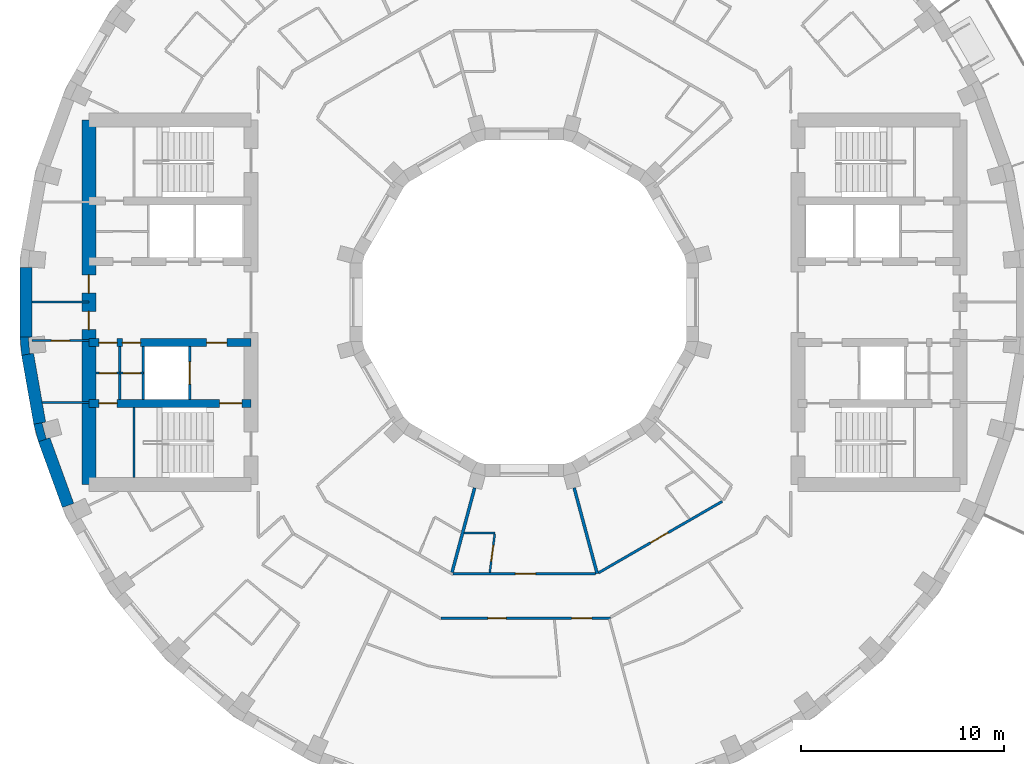
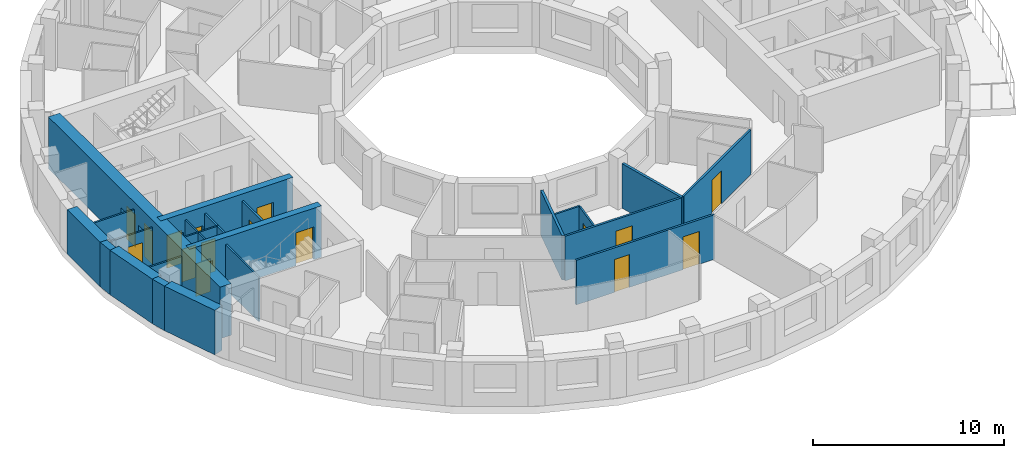
# One storey, part 3 of 11: 24 walls, 16 doors, 16 openings.
"""IFC4 building model written with IfcOpenShell, lengths in metres."""

from ifc_helpers import new_model, si_unit, direction, frame, frame_2d, origin, place, context, subcontext, project, spatial, polyline, rectangle, outline, extrude, material, layer, layer_set, type_object, element, fill, save


model = new_model("IFC4")

# Units and contexts
model_context = context("Model", 3, precision=1e-05, world=origin(), true_north=direction((0.0, 1.0)))
body_context = subcontext(model_context, "Body", "Model", "MODEL_VIEW")
ifc_project = project(units=[si_unit("LENGTHUNIT", "METRE"), si_unit("AREAUNIT", "SQUARE_METRE"), si_unit("VOLUMEUNIT", "CUBIC_METRE"), si_unit("PLANEANGLEUNIT", "RADIAN"), si_unit("MASSUNIT", "GRAM", prefix="KILO")], contexts=[model_context])

# Site, building, storey
site_placement = place(None, origin())
site = spatial("IfcSite", under=ifc_project, at=site_placement, CompositionType="ELEMENT")
building_placement = place(site_placement, origin())
building = spatial("IfcBuilding", under=site, at=building_placement, Name="Saqina Gate Tower", CompositionType="ELEMENT")
storey_placement = place(building_placement, frame((0.0, 0.0, 183.89990234375)))
storey = spatial("IfcBuildingStorey", under=building, at=storey_placement, Name="L52", CompositionType="ELEMENT", Elevation=183.89990234375)

# Walls
ifc_material_1 = material(Name="Brick masonry (buff)", Category="masonry")
wall_type_1 = type_object("IfcWallType", Name="BRICK PIER COPING BUFF", PredefinedType="SOLIDWALL", material=ifc_material_1)
wall_1_placement = place(storey_placement, origin())
element("IfcWall", 1, at=wall_1_placement, inside=storey, type_object=wall_type_1, Name="Pier cap L52 column 19", PredefinedType="SOLIDWALL", context=body_context, shape_type="SweptSolid", body=[
    extrude(outline(polyline([(-24.90478515625, -1.724853515625), (-24.825927734375, -2.6259765625), (-24.235107421875, -2.521728515625), (-24.421630859375, -2.5380859375), (-24.491455078125, -1.7412109375), (-24.304931640625, -1.724853515625), (-24.90478515625, -1.724853515625)])), origin(), (0.0, 0.0, 1.0), 2.85009765625),
])
wall_2_placement = place(storey_placement, origin())
element("IfcWall", 2, at=wall_2_placement, inside=storey, type_object=wall_type_1, Name="Pier cap L52 column 20", PredefinedType="SOLIDWALL", context=body_context, shape_type="SweptSolid", body=[
    extrude(outline(polyline([(-24.22705078125, -6.0234375), (-23.992919921875, -6.897216796875), (-23.428955078125, -6.69189453125), (-23.610107421875, -6.740478515625), (-23.81689453125, -5.967529296875), (-23.635986328125, -5.919189453125), (-24.22705078125, -6.0234375)])), origin(), (0.0, 0.0, 1.0), 2.85009765625),
])
ifc_material_2 = material(Name="Gypsum board on steel studs", Category="steel")
ifc_layer_1 = layer(ifc_material_2, 0.10009765625)
ifc_layer_set_1 = layer_set([ifc_layer_1], Name="CORE PARTITION")
wall_type_2 = type_object("IfcWallType", Name="CORE PARTITION", PredefinedType="PARTITIONING", material=ifc_layer_set_1)
wall_3_placement = place(storey_placement, frame((-21.5, -4.949951171875, 0.0), z_axis=(0.0, 0.0, 1.0), x_axis=(-1.0, 0.0, 0.0)))
element("IfcWall", 3, at=wall_3_placement, inside=storey, type_object=wall_type_2, Name="L52-CP-W02", PredefinedType="PARTITIONING", context=body_context, shape_type="SweptSolid", body=[
    extrude(rectangle(XDim=2.306884765625, YDim=0.10009765625, at=frame_2d((1.1533203125, 0.0))), origin(), (0.0, 0.0, 1.0), 2.85009765625),
])

# Wall, opening, door
wall_4_placement = place(storey_placement, frame((-21.5, -1.89990234375, 0.0), z_axis=(0.0, 0.0, 1.0), x_axis=(-1.0, 0.0, 0.0)))
wall_4 = element("IfcWall", 4, at=wall_4_placement, inside=storey, type_object=wall_type_2, Name="L52-CP-W03", PredefinedType="PARTITIONING", context=body_context, shape_type="SweptSolid", body=[
    extrude(rectangle(XDim=2.804931640625, YDim=0.10009765625, at=frame_2d((1.40234375, 0.0))), origin(), (0.0, 0.0, 1.0), 2.85009765625),
])
opening_1_placement = place(wall_4_placement, frame((0.952392578125, 0.0, 0.0)))
opening_1 = element("IfcOpeningElement", 5, at=opening_1_placement, cuts=wall_4, Name="Opening G15-D111", PredefinedType="OPENING", context=body_context, shape_type="SweptSolid", body=[
    extrude(rectangle(XDim=0.89990234375, YDim=2.10009765625, at=frame_2d((0.449951171875, 1.050048828125))), frame((0.0, 0.06201171875, 0.0), z_axis=(0.0, -1.0, 0.0), x_axis=(1.0, 0.0, 0.0)), (0.0, 0.0, 1.0), 0.1240234375),
])
ifc_material_3 = material(Name="Steel-framed fire door leaf, EI 60", Category="steel")
door_type_1 = type_object("IfcDoorType", Name="SERVICE ROOM DOOR 900", OperationType="SINGLE_SWING_LEFT", PredefinedType="DOOR", material=ifc_material_3)
door_1_placement = place(opening_1_placement, origin())
door_1 = element("IfcDoor", 6, at=door_1_placement, inside=storey, type_object=door_type_1, Name="L52-CD-W22", OperationType="SINGLE_SWING_LEFT", OverallHeight=2.10009765625, OverallWidth=0.89990234375, PredefinedType="DOOR", context=body_context, shape_type="SweptSolid", body=[
    extrude(rectangle(XDim=0.89990234375, YDim=2.10009765625, at=frame_2d((0.449951171875, 1.050048828125))), frame((0.0, 0.02490234375, 0.0), z_axis=(0.0, -1.0, 0.0), x_axis=(1.0, 0.0, 0.0)), (0.0, 0.0, 1.0), 0.050048828125),
])
fill(opening_1, door_1)

# Walls
wall_5_placement = place(storey_placement, frame((-21.5, 0.0, 0.0), z_axis=(0.0, 0.0, 1.0), x_axis=(-1.0, 0.0, 0.0)))
element("IfcWall", 7, at=wall_5_placement, inside=storey, type_object=wall_type_2, Name="L52-CP-W04", PredefinedType="PARTITIONING", context=body_context, shape_type="SweptSolid", body=[
    extrude(rectangle(XDim=2.804931640625, YDim=0.10009765625, at=frame_2d((1.40234375, 0.0))), origin(), (0.0, 0.0, 1.0), 2.85009765625),
])
wall_6_placement = place(storey_placement, frame((-19.97998046875, -4.800048828125, 0.0), z_axis=(0.0, 0.0, 1.0), x_axis=(0.0, 1.0, 0.0)))
element("IfcWall", 8, at=wall_6_placement, inside=storey, type_object=wall_type_2, Name="L52-CP-W09", PredefinedType="PARTITIONING", context=body_context, shape_type="SweptSolid", body=[
    extrude(rectangle(XDim=2.60009765625, YDim=0.10009765625, at=frame_2d((1.300048828125, 0.0))), origin(), (0.0, 0.0, 1.0), 2.85009765625),
])

# Wall, opening, door
wall_7_placement = place(storey_placement, frame((-18.81005859375, -3.5, 0.0), z_axis=(0.0, 0.0, 1.0), x_axis=(-1.0, 0.0, 0.0)))
wall_7 = element("IfcWall", 9, at=wall_7_placement, inside=storey, type_object=wall_type_2, Name="L52-CP-W11", PredefinedType="PARTITIONING", context=body_context, shape_type="SweptSolid", body=[
    extrude(rectangle(XDim=1.169921875, YDim=0.10009765625, at=frame_2d((0.5849609375, 0.0))), origin(), (0.0, 0.0, 1.0), 2.85009765625),
])
opening_2_placement = place(wall_7_placement, frame((0.14990234375, 0.0, 0.0)))
opening_2 = element("IfcOpeningElement", 10, at=opening_2_placement, cuts=wall_7, Name="Opening G15-D115", PredefinedType="OPENING", context=body_context, shape_type="SweptSolid", body=[
    extrude(rectangle(XDim=0.85009765625, YDim=2.10009765625, at=frame_2d((0.425048828125, 1.050048828125))), frame((0.0, 0.06201171875, 0.0), z_axis=(0.0, -1.0, 0.0), x_axis=(1.0, 0.0, 0.0)), (0.0, 0.0, 1.0), 0.1240234375),
])
ifc_material_4 = material(Name="Steel-framed fire door leaf, EI 60", Category="steel")
door_type_2 = type_object("IfcDoorType", Name="SERVICE ROOM DOOR 850", OperationType="SINGLE_SWING_LEFT", PredefinedType="DOOR", material=ifc_material_4)
door_2_placement = place(opening_2_placement, origin())
door_2 = element("IfcDoor", 11, at=door_2_placement, inside=storey, type_object=door_type_2, Name="L52-CD-W26", OperationType="SINGLE_SWING_LEFT", OverallHeight=2.10009765625, OverallWidth=0.85009765625, PredefinedType="DOOR", context=body_context, shape_type="SweptSolid", body=[
    extrude(rectangle(XDim=0.85009765625, YDim=2.10009765625, at=frame_2d((0.425048828125, 1.050048828125))), frame((0.0, 0.02490234375, 0.0), z_axis=(0.0, -1.0, 0.0), x_axis=(1.0, 0.0, 0.0)), (0.0, 0.0, 1.0), 0.050048828125),
])
fill(opening_2, door_2)

wall_8_placement = place(storey_placement, frame((-19.97998046875, -3.5, 0.0), z_axis=(0.0, 0.0, 1.0), x_axis=(-1.0, 0.0, 0.0)))
wall_8 = element("IfcWall", 12, at=wall_8_placement, inside=storey, type_object=wall_type_2, Name="L52-CP-W12", PredefinedType="PARTITIONING", context=body_context, shape_type="SweptSolid", body=[
    extrude(rectangle(XDim=1.169921875, YDim=0.10009765625, at=frame_2d((0.5849609375, 0.0))), origin(), (0.0, 0.0, 1.0), 2.85009765625),
])
opening_3_placement = place(wall_8_placement, frame((0.14990234375, 0.0, 0.0)))
opening_3 = element("IfcOpeningElement", 13, at=opening_3_placement, cuts=wall_8, Name="Opening G15-D116", PredefinedType="OPENING", context=body_context, shape_type="SweptSolid", body=[
    extrude(rectangle(XDim=0.85009765625, YDim=2.10009765625, at=frame_2d((0.425048828125, 1.050048828125))), frame((0.0, 0.06201171875, 0.0), z_axis=(0.0, -1.0, 0.0), x_axis=(1.0, 0.0, 0.0)), (0.0, 0.0, 1.0), 0.1240234375),
])
door_3_placement = place(opening_3_placement, origin())
door_3 = element("IfcDoor", 14, at=door_3_placement, inside=storey, type_object=door_type_2, Name="L52-CD-W27", OperationType="SINGLE_SWING_RIGHT", OverallHeight=2.10009765625, OverallWidth=0.85009765625, PredefinedType="DOOR", context=body_context, shape_type="SweptSolid", body=[
    extrude(rectangle(XDim=0.85009765625, YDim=2.10009765625, at=frame_2d((0.425048828125, 1.050048828125))), frame((0.0, 0.02490234375, 0.0), z_axis=(0.0, -1.0, 0.0), x_axis=(1.0, 0.0, 0.0)), (0.0, 0.0, 1.0), 0.050048828125),
])
fill(opening_3, door_3)

# Walls
ifc_material_5 = material(Name="Glazed ceramic tile", Category="ceramic")
ifc_layer_2 = layer(ifc_material_5, 0.60009765625)
ifc_layer_set_2 = layer_set([ifc_layer_2], Name="FW-TILE")
wall_type_3 = type_object("IfcWallType", Name="FW-TILE", PredefinedType="SOLIDWALL", material=ifc_layer_set_2)
wall_9_placement = place(storey_placement, frame((-24.530517578125, -2.573974609375, 0.0), z_axis=(0.0, 0.0, 1.0), x_axis=(0.173607684551, -0.984814892183, 0.0)))
element("IfcWall", 15, at=wall_9_placement, inside=storey, type_object=wall_type_3, Name="Facade wall L52 facet 19", PredefinedType="SOLIDWALL", context=body_context, shape_type="SweptSolid", body=[
    extrude(rectangle(XDim=3.44970703125, YDim=0.60009765625, at=frame_2d((1.724853515625, 0.0))), origin(), (0.0, 0.0, 1.0), 2.85009765625),
])
ifc_material_6 = material(Name="Glazed ceramic tile (dark blue)", Category="ceramic")
ifc_layer_3 = layer(ifc_material_6, 0.60009765625)
ifc_layer_set_3 = layer_set([ifc_layer_3], Name="FW-TILE-CB")
wall_type_4 = type_object("IfcWallType", Name="FW-TILE-CB", PredefinedType="SOLIDWALL", material=ifc_layer_set_3)
wall_10_placement = place(storey_placement, frame((-24.60498046875, 1.724853515625, 0.0), z_axis=(0.0, 0.0, 1.0), x_axis=(0.0, -1.0, 0.0)))
element("IfcWall", 16, at=wall_10_placement, inside=storey, type_object=wall_type_4, Name="Facade wall L52 facet 18", PredefinedType="SOLIDWALL", context=body_context, shape_type="SweptSolid", body=[
    extrude(rectangle(XDim=3.44970703125, YDim=0.60009765625, at=frame_2d((1.724853515625, 0.0))), origin(), (0.0, 0.0, 1.0), 2.85009765625),
])
ifc_material_7 = material(Name="Glazed ceramic tile (white)", Category="ceramic")
ifc_layer_4 = layer(ifc_material_7, 0.60009765625)
ifc_layer_set_4 = layer_set([ifc_layer_4], Name="FW-TILE-WH")
wall_type_5 = type_object("IfcWallType", Name="FW-TILE-WH", PredefinedType="SOLIDWALL", material=ifc_layer_set_4)
wall_11_placement = place(storey_placement, frame((-23.7109375, -6.79443359375, 0.0), z_axis=(0.0, 0.0, 1.0), x_axis=(0.342032843455, -0.93968799822, 0.0)))
element("IfcWall", 17, at=wall_11_placement, inside=storey, type_object=wall_type_5, Name="Facade wall L52 facet 20", PredefinedType="SOLIDWALL", context=body_context, shape_type="SweptSolid", body=[
    extrude(rectangle(XDim=3.44970703125, YDim=0.60009765625, at=frame_2d((1.724853515625, 0.0))), origin(), (0.0, 0.0, 1.0), 2.85009765625),
])
ifc_material_8 = material(Name="Gypsum board on steel studs, 100 mm", Category="steel")
ifc_layer_5 = layer(ifc_material_8, 0.10009765625)
ifc_layer_set_5 = layer_set([ifc_layer_5], Name="PARTITION 100")
wall_type_6 = type_object("IfcWallType", Name="PARTITION 100", PredefinedType="PARTITIONING", material=ifc_layer_set_5)
wall_12_placement = place(storey_placement, frame((-2.97998046875, -11.39990234375, 0.0), z_axis=(0.0, 0.0, 1.0), x_axis=(1.0, 0.0, 0.0)))
element("IfcWall", 18, at=wall_12_placement, inside=storey, type_object=wall_type_6, Name="PARTITION PW3-32", PredefinedType="PARTITIONING", context=body_context, shape_type="SweptSolid", body=[
    extrude(rectangle(XDim=1.51904296875, YDim=0.10009765625, at=frame_2d((0.759521484375, 0.0))), origin(), (0.0, 0.0, 1.0), 2.85009765625),
])

# Wall, opening, door
wall_13_placement = place(storey_placement, frame((-1.708984375, -13.337890625, 0.0), z_axis=(0.0, 0.0, 1.0), x_axis=(0.126970192357, 0.991906533023, 0.0)))
wall_13 = element("IfcWall", 19, at=wall_13_placement, inside=storey, type_object=wall_type_6, Name="PARTITION PW3-61", PredefinedType="PARTITIONING", context=body_context, shape_type="SweptSolid", body=[
    extrude(rectangle(XDim=1.903564453125, YDim=0.10009765625, at=frame_2d((0.95166015625, 0.0))), origin(), (0.0, 0.0, 1.0), 2.85009765625),
])
opening_4_placement = place(wall_13_placement, frame((0.545654296875, 0.0, 0.0)))
opening_4 = element("IfcOpeningElement", 20, at=opening_4_placement, cuts=wall_13, Name="Opening G15-D30", PredefinedType="OPENING", context=body_context, shape_type="SweptSolid", body=[
    extrude(rectangle(XDim=0.800048828125, YDim=2.10009765625, at=frame_2d((0.39990234375, 1.050048828125))), frame((0.0, 0.06201171875, 0.0), z_axis=(0.0, -1.0, 0.0), x_axis=(1.0, 0.0, 0.0)), (0.0, 0.0, 1.0), 0.1240234375),
])
ifc_material_9 = material(Name="Timber door leaf, 800 mm", Category="wood")
door_type_3 = type_object("IfcDoorType", Name="DOOR 800 TIMBER", OperationType="SINGLE_SWING_LEFT", PredefinedType="DOOR", material=ifc_material_9)
door_4_placement = place(opening_4_placement, frame((0.800048828125, 0.0, 0.0), z_axis=(0.0, 0.0, 1.0), x_axis=(-1.0, 0.0, 0.0)))
door_4 = element("IfcDoor", 21, at=door_4_placement, inside=storey, type_object=door_type_3, Name="DOOR G15-D30", OperationType="SINGLE_SWING_RIGHT", OverallHeight=2.10009765625, OverallWidth=0.800048828125, PredefinedType="DOOR", context=body_context, shape_type="SweptSolid", body=[
    extrude(rectangle(XDim=0.800048828125, YDim=2.10009765625, at=frame_2d((0.39990234375, 1.050048828125))), frame((0.0, 0.02490234375, 0.0), z_axis=(0.0, -1.0, 0.0), x_axis=(1.0, 0.0, 0.0)), (0.0, 0.0, 1.0), 0.050048828125),
])
fill(opening_4, door_4)

# Wall, openings, doors
ifc_material_10 = material(Name="Gypsum board on steel studs, 125 mm, fire rated", Category="steel")
ifc_layer_6 = layer(ifc_material_10, 0.125)
ifc_layer_set_6 = layer_set([ifc_layer_6], Name="PARTITION EI 30 125")
wall_type_7 = type_object("IfcWallType", Name="PARTITION EI 30 125", PredefinedType="PARTITIONING", material=ifc_layer_set_6)
wall_14_placement = place(storey_placement, frame((-4.117431640625, -15.60009765625, 0.0), z_axis=(0.0, 0.0, 1.0), x_axis=(1.0, 0.0, 0.0)))
wall_14 = element("IfcWall", 22, at=wall_14_placement, inside=storey, type_object=wall_type_7, Name="PARTITION PW1-19", PredefinedType="PARTITIONING", context=body_context, shape_type="SweptSolid", body=[
    extrude(rectangle(XDim=8.36962890625, YDim=0.125, at=frame_2d((4.184814453125, 0.0))), origin(), (0.0, 0.0, 1.0), 2.85009765625),
])
opening_5_placement = place(wall_14_placement, frame((2.3134765625, 0.0, 0.0)))
opening_5 = element("IfcOpeningElement", 23, at=opening_5_placement, cuts=wall_14, Name="Opening G15-D31", PredefinedType="OPENING", context=body_context, shape_type="SweptSolid", body=[
    extrude(rectangle(XDim=0.89990234375, YDim=2.10009765625, at=frame_2d((0.449951171875, 1.050048828125))), frame((0.0, 0.074462890625, 0.0), z_axis=(0.0, -1.0, 0.0), x_axis=(1.0, 0.0, 0.0)), (0.0, 0.0, 1.0), 0.14892578125),
])
opening_6_placement = place(wall_14_placement, frame((6.443603515625, 0.0, 0.0)))
opening_6 = element("IfcOpeningElement", 24, at=opening_6_placement, cuts=wall_14, Name="Opening G15-D33", PredefinedType="OPENING", context=body_context, shape_type="SweptSolid", body=[
    extrude(rectangle(XDim=1.0, YDim=2.10009765625, at=frame_2d((0.5, 1.050048828125))), frame((0.0, 0.074462890625, 0.0), z_axis=(0.0, -1.0, 0.0), x_axis=(1.0, 0.0, 0.0)), (0.0, 0.0, 1.0), 0.14892578125),
])
ifc_material_11 = material(Name="Fire door leaf EI 30, 1000 mm")
door_type_4 = type_object("IfcDoorType", Name="DOOR 1000 EI 30", OperationType="SINGLE_SWING_LEFT", PredefinedType="DOOR", material=ifc_material_11)
door_5_placement = place(opening_6_placement, origin())
door_5 = element("IfcDoor", 25, at=door_5_placement, inside=storey, type_object=door_type_4, Name="DOOR G15-D33", OperationType="SINGLE_SWING_RIGHT", OverallHeight=2.10009765625, OverallWidth=1.0, PredefinedType="DOOR", context=body_context, shape_type="SweptSolid", body=[
    extrude(rectangle(XDim=1.0, YDim=2.10009765625, at=frame_2d((0.5, 1.050048828125))), frame((0.0, 0.02490234375, 0.0), z_axis=(0.0, -1.0, 0.0), x_axis=(1.0, 0.0, 0.0)), (0.0, 0.0, 1.0), 0.050048828125),
])
fill(opening_6, door_5)
ifc_material_12 = material(Name="Fire door leaf EI 30, 900 mm")
door_type_5 = type_object("IfcDoorType", Name="DOOR 900 EI 30", OperationType="SINGLE_SWING_LEFT", PredefinedType="DOOR", material=ifc_material_12)
door_6_placement = place(opening_5_placement, frame((0.89990234375, 0.0, 0.0), z_axis=(0.0, 0.0, 1.0), x_axis=(-1.0, 0.0, 0.0)))
door_6 = element("IfcDoor", 26, at=door_6_placement, inside=storey, type_object=door_type_5, Name="DOOR G15-D31", OperationType="SINGLE_SWING_RIGHT", OverallHeight=2.10009765625, OverallWidth=0.89990234375, PredefinedType="DOOR", context=body_context, shape_type="SweptSolid", body=[
    extrude(rectangle(XDim=0.89990234375, YDim=2.10009765625, at=frame_2d((0.449951171875, 1.050048828125))), frame((0.0, 0.02490234375, 0.0), z_axis=(0.0, -1.0, 0.0), x_axis=(1.0, 0.0, 0.0)), (0.0, 0.0, 1.0), 0.050048828125),
])
fill(opening_5, door_6)

# Wall, opening, door
wall_15_placement = place(storey_placement, frame((-3.528564453125, -13.39990234375, 0.0), z_axis=(0.0, 0.0, 1.0), x_axis=(1.0, 0.0, 0.0)))
wall_15 = element("IfcWall", 27, at=wall_15_placement, inside=storey, type_object=wall_type_7, Name="PARTITION PW1-20", PredefinedType="PARTITIONING", context=body_context, shape_type="SweptSolid", body=[
    extrude(rectangle(XDim=7.044677734375, YDim=0.125, at=frame_2d((3.5224609375, 0.0))), origin(), (0.0, 0.0, 1.0), 2.85009765625),
])
opening_7_placement = place(wall_15_placement, frame((3.07958984375, 0.0, 0.0)))
opening_7 = element("IfcOpeningElement", 28, at=opening_7_placement, cuts=wall_15, Name="Opening G15-D32", PredefinedType="OPENING", context=body_context, shape_type="SweptSolid", body=[
    extrude(rectangle(XDim=1.0, YDim=2.10009765625, at=frame_2d((0.5, 1.050048828125))), frame((0.0, 0.074462890625, 0.0), z_axis=(0.0, -1.0, 0.0), x_axis=(1.0, 0.0, 0.0)), (0.0, 0.0, 1.0), 0.14892578125),
])
door_7_placement = place(opening_7_placement, origin())
door_7 = element("IfcDoor", 29, at=door_7_placement, inside=storey, type_object=door_type_4, Name="DOOR G15-D32", OperationType="SINGLE_SWING_RIGHT", OverallHeight=2.10009765625, OverallWidth=1.0, PredefinedType="DOOR", context=body_context, shape_type="SweptSolid", body=[
    extrude(rectangle(XDim=1.0, YDim=2.10009765625, at=frame_2d((0.5, 1.050048828125))), frame((0.0, 0.02490234375, 0.0), z_axis=(0.0, -1.0, 0.0), x_axis=(1.0, 0.0, 0.0)), (0.0, 0.0, 1.0), 0.050048828125),
])
fill(opening_7, door_7)

wall_16_placement = place(storey_placement, frame((3.656005859375, -13.362548828125, 0.0), z_axis=(0.0, 0.0, 1.0), x_axis=(0.865953330155, 0.500124814415, 0.0)))
wall_16 = element("IfcWall", 30, at=wall_16_placement, inside=storey, type_object=wall_type_7, Name="PARTITION PW1-25", PredefinedType="PARTITIONING", context=body_context, shape_type="SweptSolid", body=[
    extrude(rectangle(XDim=7.055419921875, YDim=0.125, at=frame_2d((3.52783203125, 0.0))), origin(), (0.0, 0.0, 1.0), 2.85009765625),
])
opening_8_placement = place(wall_16_placement, frame((2.96435546875, 0.0, 0.0)))
opening_8 = element("IfcOpeningElement", 31, at=opening_8_placement, cuts=wall_16, Name="Opening G15-D35", PredefinedType="OPENING", context=body_context, shape_type="SweptSolid", body=[
    extrude(rectangle(XDim=1.0, YDim=2.10009765625, at=frame_2d((0.5, 1.050048828125))), frame((0.0, 0.074462890625, 0.0), z_axis=(0.0, -1.0, 0.0), x_axis=(1.0, 0.0, 0.0)), (0.0, 0.0, 1.0), 0.14892578125),
])
door_8_placement = place(opening_8_placement, origin())
door_8 = element("IfcDoor", 32, at=door_8_placement, inside=storey, type_object=door_type_4, Name="DOOR G15-D35", OperationType="SINGLE_SWING_LEFT", OverallHeight=2.10009765625, OverallWidth=1.0, PredefinedType="DOOR", context=body_context, shape_type="SweptSolid", body=[
    extrude(rectangle(XDim=1.0, YDim=2.10009765625, at=frame_2d((0.5, 1.050048828125))), frame((0.0, 0.02490234375, 0.0), z_axis=(0.0, -1.0, 0.0), x_axis=(1.0, 0.0, 0.0)), (0.0, 0.0, 1.0), 0.050048828125),
])
fill(opening_8, door_8)

# Walls
ifc_material_13 = material(Name="Gypsum board on steel studs, 150 mm, fire rated", Category="steel")
ifc_layer_7 = layer(ifc_material_13, 0.14990234375)
ifc_layer_set_7 = layer_set([ifc_layer_7], Name="PARTITION EI 60 150")
wall_type_8 = type_object("IfcWallType", Name="PARTITION EI 60 150", PredefinedType="PARTITIONING", material=ifc_layer_set_7)
wall_17_placement = place(storey_placement, frame((2.455322265625, -9.169189453125, 0.0), z_axis=(0.0, 0.0, 1.0), x_axis=(0.259271855644, -0.9658043823, 0.0)))
element("IfcWall", 33, at=wall_17_placement, inside=storey, type_object=wall_type_8, Name="PARTITION PW2-01", PredefinedType="PARTITIONING", context=body_context, shape_type="SweptSolid", body=[
    extrude(rectangle(XDim=4.380615234375, YDim=0.14990234375, at=frame_2d((2.1904296875, 0.0))), origin(), (0.0, 0.0, 1.0), 2.85009765625),
])
wall_18_placement = place(storey_placement, frame((-3.574462890625, -13.33984375, 0.0), z_axis=(0.0, 0.0, 1.0), x_axis=(0.258651305752, 0.965970756303, 0.0)))
element("IfcWall", 34, at=wall_18_placement, inside=storey, type_object=wall_type_8, Name="PARTITION PW2-06", PredefinedType="PARTITIONING", context=body_context, shape_type="SweptSolid", body=[
    extrude(rectangle(XDim=4.318359375, YDim=0.14990234375, at=frame_2d((2.1591796875, 0.0))), origin(), (0.0, 0.0, 1.0), 2.85009765625),
])

# Wall, opening, door
ifc_material_14 = material(Name="Autoclaved aerated concrete block", Category="concrete")
ifc_layer_8 = layer(ifc_material_14, 0.1201171875)
ifc_layer_set_8 = layer_set([ifc_layer_8], Name="SHAFT PARTITION")
wall_type_9 = type_object("IfcWallType", Name="SHAFT PARTITION", PredefinedType="PARTITIONING", material=ifc_layer_set_8)
wall_19_placement = place(storey_placement, frame((-16.530029296875, -4.800048828125, 0.0), z_axis=(0.0, 0.0, 1.0), x_axis=(0.0, 1.0, 0.0)))
wall_19 = element("IfcWall", 35, at=wall_19_placement, inside=storey, type_object=wall_type_9, Name="L52-CP-W07", PredefinedType="PARTITIONING", context=body_context, shape_type="SweptSolid", body=[
    extrude(rectangle(XDim=2.60009765625, YDim=0.1201171875, at=frame_2d((1.300048828125, 0.0))), origin(), (0.0, 0.0, 1.0), 2.85009765625),
])
opening_9_placement = place(wall_19_placement, frame((0.75, 0.0, 0.0)))
opening_9 = element("IfcOpeningElement", 36, at=opening_9_placement, cuts=wall_19, Name="Opening G15-LD6", PredefinedType="OPENING", context=body_context, shape_type="SweptSolid", body=[
    extrude(rectangle(XDim=1.10009765625, YDim=2.10009765625, at=frame_2d((0.550048828125, 1.050048828125))), frame((0.0, 0.072021484375, 0.0), z_axis=(0.0, -1.0, 0.0), x_axis=(1.0, 0.0, 0.0)), (0.0, 0.0, 1.0), 0.14404296875),
])
ifc_material_15 = material(Name="Stainless steel", Category="steel")
door_type_6 = type_object("IfcDoorType", Name="LANDING DOOR", OperationType="DOUBLE_DOOR_SLIDING", PredefinedType="DOOR", material=ifc_material_15)
door_9_placement = place(opening_9_placement, origin())
door_9 = element("IfcDoor", 37, at=door_9_placement, inside=storey, type_object=door_type_6, Name="LANDING DOOR FF2", OperationType="DOUBLE_DOOR_SLIDING", OverallHeight=2.10009765625, OverallWidth=1.10009765625, PredefinedType="DOOR", context=body_context, shape_type="SweptSolid", body=[
    extrude(rectangle(XDim=1.10009765625, YDim=2.10009765625, at=frame_2d((0.550048828125, 1.050048828125))), frame((0.0, 0.02490234375, 0.0), z_axis=(0.0, -1.0, 0.0), x_axis=(1.0, 0.0, 0.0)), (0.0, 0.0, 1.0), 0.050048828125),
])
fill(opening_9, door_9)

# Walls
wall_20_placement = place(storey_placement, frame((-18.81005859375, -4.800048828125, 0.0), z_axis=(0.0, 0.0, 1.0), x_axis=(0.0, 1.0, 0.0)))
element("IfcWall", 38, at=wall_20_placement, inside=storey, type_object=wall_type_9, Name="L52-CP-W08", PredefinedType="PARTITIONING", context=body_context, shape_type="SweptSolid", body=[
    extrude(rectangle(XDim=2.60009765625, YDim=0.1201171875, at=frame_2d((1.300048828125, 0.0))), origin(), (0.0, 0.0, 1.0), 2.85009765625),
])
ifc_material_16 = material(Name="Autoclaved aerated concrete block", Category="concrete")
ifc_layer_9 = layer(ifc_material_16, 0.10009765625)
ifc_layer_set_9 = layer_set([ifc_layer_9], Name="STAIR ENCLOSURE WALL")
wall_type_10 = type_object("IfcWallType", Name="STAIR ENCLOSURE WALL", PredefinedType="PARTITIONING", material=ifc_layer_set_9)
wall_21_placement = place(storey_placement, frame((-19.27001953125, -8.64990234375, 0.0), z_axis=(0.0, 0.0, 1.0), x_axis=(0.0, 1.0, 0.0)))
element("IfcWall", 39, at=wall_21_placement, inside=storey, type_object=wall_type_10, Name="L52-CP-W14", PredefinedType="PARTITIONING", context=body_context, shape_type="SweptSolid", body=[
    extrude(rectangle(XDim=3.449951171875, YDim=0.10009765625, at=frame_2d((1.72509765625, 0.0))), origin(), (0.0, 0.0, 1.0), 2.85009765625),
])

# Wall, openings, doors
ifc_material_17 = material(Name="Concrete C60/75", Category="concrete")
ifc_layer_10 = layer(ifc_material_17, 0.39990234375)
ifc_layer_set_10 = layer_set([ifc_layer_10], Name="Concrete C60/75")
wall_type_11 = type_object("IfcWallType", Name="STR-CORE WALL-C-I", PredefinedType="SHEAR", material=ifc_layer_set_10)
wall_22_placement = place(storey_placement, frame((-13.5, -5.0, 0.0), z_axis=(0.0, 0.0, 1.0), x_axis=(-1.0, 0.0, 0.0)))
wall_22 = element("IfcWall", 40, at=wall_22_placement, inside=storey, type_object=wall_type_11, Name="CORE WALL L52 W-X2", PredefinedType="SHEAR", context=body_context, shape_type="SweptSolid", body=[
    extrude(rectangle(XDim=8.0, YDim=0.39990234375, at=frame_2d((4.0, 0.0))), origin(), (0.0, 0.0, 1.0), 3.300048828125),
])
opening_10_placement = place(wall_22_placement, frame((6.614990234375, 0.0, 0.0)))
opening_10 = element("IfcOpeningElement", 41, at=opening_10_placement, cuts=wall_22, Name="Opening G15-D117", PredefinedType="OPENING", context=body_context, shape_type="SweptSolid", body=[
    extrude(rectangle(XDim=0.89990234375, YDim=2.10009765625, at=frame_2d((0.449951171875, 1.050048828125))), frame((0.0, 0.2119140625, 0.0), z_axis=(0.0, -1.0, 0.0), x_axis=(1.0, 0.0, 0.0)), (0.0, 0.0, 1.0), 0.423828125),
])
opening_11_placement = place(wall_22_placement, frame((0.449951171875, 0.0, 0.0)))
opening_11 = element("IfcOpeningElement", 42, at=opening_11_placement, cuts=wall_22, Name="Opening G15-D118", PredefinedType="OPENING", context=body_context, shape_type="SweptSolid", body=[
    extrude(rectangle(XDim=1.10009765625, YDim=2.10009765625, at=frame_2d((0.550048828125, 1.050048828125))), frame((0.0, 0.2119140625, 0.0), z_axis=(0.0, -1.0, 0.0), x_axis=(1.0, 0.0, 0.0)), (0.0, 0.0, 1.0), 0.423828125),
])
ifc_material_18 = material(Name="Steel", Category="steel")
door_type_7 = type_object("IfcDoorType", Name="FIRE LOBBY DOOR EI 60 WIDE", OperationType="SINGLE_SWING_LEFT", PredefinedType="DOOR", material=ifc_material_18)
door_10_placement = place(opening_11_placement, origin())
door_10 = element("IfcDoor", 43, at=door_10_placement, inside=storey, type_object=door_type_7, Name="L52-CD-W29", OperationType="SINGLE_SWING_LEFT", OverallHeight=2.10009765625, OverallWidth=1.10009765625, PredefinedType="DOOR", context=body_context, shape_type="SweptSolid", body=[
    extrude(rectangle(XDim=1.10009765625, YDim=2.10009765625, at=frame_2d((0.550048828125, 1.050048828125))), frame((0.0, 0.02490234375, 0.0), z_axis=(0.0, -1.0, 0.0), x_axis=(1.0, 0.0, 0.0)), (0.0, 0.0, 1.0), 0.050048828125),
])
fill(opening_11, door_10)
door_11_placement = place(opening_10_placement, origin())
door_11 = element("IfcDoor", 44, at=door_11_placement, inside=storey, type_object=door_type_1, Name="L52-CD-W28", OperationType="SINGLE_SWING_RIGHT", OverallHeight=2.10009765625, OverallWidth=0.89990234375, PredefinedType="DOOR", context=body_context, shape_type="SweptSolid", body=[
    extrude(rectangle(XDim=0.89990234375, YDim=2.10009765625, at=frame_2d((0.449951171875, 1.050048828125))), frame((0.0, 0.02490234375, 0.0), z_axis=(0.0, -1.0, 0.0), x_axis=(1.0, 0.0, 0.0)), (0.0, 0.0, 1.0), 0.050048828125),
])
fill(opening_10, door_11)

wall_23_placement = place(storey_placement, frame((-13.5, -2.0, 0.0), z_axis=(0.0, 0.0, 1.0), x_axis=(-1.0, 0.0, 0.0)))
wall_23 = element("IfcWall", 45, at=wall_23_placement, inside=storey, type_object=wall_type_11, Name="CORE WALL L52 W-L2", PredefinedType="SHEAR", context=body_context, shape_type="SweptSolid", body=[
    extrude(rectangle(XDim=8.0, YDim=0.39990234375, at=frame_2d((4.0, 0.0))), origin(), (0.0, 0.0, 1.0), 3.300048828125),
])
opening_12_placement = place(wall_23_placement, frame((1.18994140625, 0.0, 0.0)))
opening_12 = element("IfcOpeningElement", 46, at=opening_12_placement, cuts=wall_23, Name="Opening G15-D107", PredefinedType="OPENING", context=body_context, shape_type="SweptSolid", body=[
    extrude(rectangle(XDim=1.0, YDim=2.10009765625, at=frame_2d((0.5, 1.050048828125))), frame((0.0, 0.2119140625, 0.0), z_axis=(0.0, -1.0, 0.0), x_axis=(1.0, 0.0, 0.0)), (0.0, 0.0, 1.0), 0.423828125),
])
opening_13_placement = place(wall_23_placement, frame((5.445068359375, 0.0, 0.0)))
opening_13 = element("IfcOpeningElement", 47, at=opening_13_placement, cuts=wall_23, Name="Opening G15-D108", PredefinedType="OPENING", context=body_context, shape_type="SweptSolid", body=[
    extrude(rectangle(XDim=0.89990234375, YDim=2.10009765625, at=frame_2d((0.449951171875, 1.050048828125))), frame((0.0, 0.2119140625, 0.0), z_axis=(0.0, -1.0, 0.0), x_axis=(1.0, 0.0, 0.0)), (0.0, 0.0, 1.0), 0.423828125),
])
opening_14_placement = place(wall_23_placement, frame((6.614990234375, 0.0, 0.0)))
opening_14 = element("IfcOpeningElement", 48, at=opening_14_placement, cuts=wall_23, Name="Opening G15-D109", PredefinedType="OPENING", context=body_context, shape_type="SweptSolid", body=[
    extrude(rectangle(XDim=0.89990234375, YDim=2.10009765625, at=frame_2d((0.449951171875, 1.050048828125))), frame((0.0, 0.2119140625, 0.0), z_axis=(0.0, -1.0, 0.0), x_axis=(1.0, 0.0, 0.0)), (0.0, 0.0, 1.0), 0.423828125),
])
ifc_material_19 = material(Name="Steel", Category="steel")
door_type_8 = type_object("IfcDoorType", Name="FIRE LOBBY DOOR EI 60", OperationType="SINGLE_SWING_LEFT", PredefinedType="DOOR", material=ifc_material_19)
door_12_placement = place(opening_12_placement, frame((1.0, 0.0, 0.0), z_axis=(0.0, 0.0, 1.0), x_axis=(-1.0, 0.0, 0.0)))
door_12 = element("IfcDoor", 49, at=door_12_placement, inside=storey, type_object=door_type_8, Name="L52-CD-W18", OperationType="SINGLE_SWING_RIGHT", OverallHeight=2.10009765625, OverallWidth=1.0, PredefinedType="DOOR", context=body_context, shape_type="SweptSolid", body=[
    extrude(rectangle(XDim=1.0, YDim=2.10009765625, at=frame_2d((0.5, 1.050048828125))), frame((0.0, 0.02490234375, 0.0), z_axis=(0.0, -1.0, 0.0), x_axis=(1.0, 0.0, 0.0)), (0.0, 0.0, 1.0), 0.050048828125),
])
fill(opening_12, door_12)
door_13_placement = place(opening_13_placement, origin())
door_13 = element("IfcDoor", 50, at=door_13_placement, inside=storey, type_object=door_type_1, Name="L52-CD-W19", OperationType="SINGLE_SWING_LEFT", OverallHeight=2.10009765625, OverallWidth=0.89990234375, PredefinedType="DOOR", context=body_context, shape_type="SweptSolid", body=[
    extrude(rectangle(XDim=0.89990234375, YDim=2.10009765625, at=frame_2d((0.449951171875, 1.050048828125))), frame((0.0, 0.02490234375, 0.0), z_axis=(0.0, -1.0, 0.0), x_axis=(1.0, 0.0, 0.0)), (0.0, 0.0, 1.0), 0.050048828125),
])
fill(opening_13, door_13)
door_14_placement = place(opening_14_placement, origin())
door_14 = element("IfcDoor", 51, at=door_14_placement, inside=storey, type_object=door_type_1, Name="L52-CD-W20", OperationType="SINGLE_SWING_RIGHT", OverallHeight=2.10009765625, OverallWidth=0.89990234375, PredefinedType="DOOR", context=body_context, shape_type="SweptSolid", body=[
    extrude(rectangle(XDim=0.89990234375, YDim=2.10009765625, at=frame_2d((0.449951171875, 1.050048828125))), frame((0.0, 0.02490234375, 0.0), z_axis=(0.0, -1.0, 0.0), x_axis=(1.0, 0.0, 0.0)), (0.0, 0.0, 1.0), 0.050048828125),
])
fill(opening_14, door_14)

ifc_material_20 = material(Name="Concrete C60/75", Category="concrete")
ifc_layer_11 = layer(ifc_material_20, 0.699951171875)
ifc_layer_set_11 = layer_set([ifc_layer_11], Name="Concrete C60/75")
wall_type_12 = type_object("IfcWallType", Name="STR-CORE WALL-C-O", PredefinedType="SHEAR", material=ifc_layer_set_11)
wall_24_placement = place(storey_placement, frame((-21.5, -9.0, 0.0), z_axis=(0.0, 0.0, 1.0), x_axis=(0.0, 1.0, 0.0)))
wall_24 = element("IfcWall", 52, at=wall_24_placement, inside=storey, type_object=wall_type_12, Name="CORE WALL L52 W-W2", PredefinedType="SHEAR", context=body_context, shape_type="SweptSolid", body=[
    extrude(rectangle(XDim=18.0, YDim=0.699951171875, at=frame_2d((9.0, 0.0))), origin(), (0.0, 0.0, 1.0), 3.300048828125),
])
opening_15_placement = place(wall_24_placement, frame((9.449951171875, 0.0, 0.0)))
opening_15 = element("IfcOpeningElement", 53, at=opening_15_placement, cuts=wall_24, Name="Opening G15-D110", PredefinedType="OPENING", context=body_context, shape_type="SweptSolid", body=[
    extrude(rectangle(XDim=0.89990234375, YDim=2.10009765625, at=frame_2d((0.449951171875, 1.050048828125))), frame((0.0, 0.362060546875, 0.0), z_axis=(0.0, -1.0, 0.0), x_axis=(1.0, 0.0, 0.0)), (0.0, 0.0, 1.0), 0.723876953125),
])
opening_16_placement = place(wall_24_placement, frame((7.64990234375, 0.0, 0.0)))
opening_16 = element("IfcOpeningElement", 54, at=opening_16_placement, cuts=wall_24, Name="Opening G15-D112", PredefinedType="OPENING", context=body_context, shape_type="SweptSolid", body=[
    extrude(rectangle(XDim=0.89990234375, YDim=2.10009765625, at=frame_2d((0.449951171875, 1.050048828125))), frame((0.0, 0.362060546875, 0.0), z_axis=(0.0, -1.0, 0.0), x_axis=(1.0, 0.0, 0.0)), (0.0, 0.0, 1.0), 0.723876953125),
])
door_15_placement = place(opening_15_placement, origin())
door_15 = element("IfcDoor", 55, at=door_15_placement, inside=storey, type_object=door_type_1, Name="L52-CD-W21", OperationType="SINGLE_SWING_LEFT", OverallHeight=2.10009765625, OverallWidth=0.89990234375, PredefinedType="DOOR", context=body_context, shape_type="SweptSolid", body=[
    extrude(rectangle(XDim=0.89990234375, YDim=2.10009765625, at=frame_2d((0.449951171875, 1.050048828125))), frame((0.0, 0.02490234375, 0.0), z_axis=(0.0, -1.0, 0.0), x_axis=(1.0, 0.0, 0.0)), (0.0, 0.0, 1.0), 0.050048828125),
])
fill(opening_15, door_15)
door_16_placement = place(opening_16_placement, origin())
door_16 = element("IfcDoor", 56, at=door_16_placement, inside=storey, type_object=door_type_1, Name="L52-CD-W23", OperationType="SINGLE_SWING_LEFT", OverallHeight=2.10009765625, OverallWidth=0.89990234375, PredefinedType="DOOR", context=body_context, shape_type="SweptSolid", body=[
    extrude(rectangle(XDim=0.89990234375, YDim=2.10009765625, at=frame_2d((0.449951171875, 1.050048828125))), frame((0.0, 0.02490234375, 0.0), z_axis=(0.0, -1.0, 0.0), x_axis=(1.0, 0.0, 0.0)), (0.0, 0.0, 1.0), 0.050048828125),
])
fill(opening_16, door_16)

save(model, "model.ifc")
